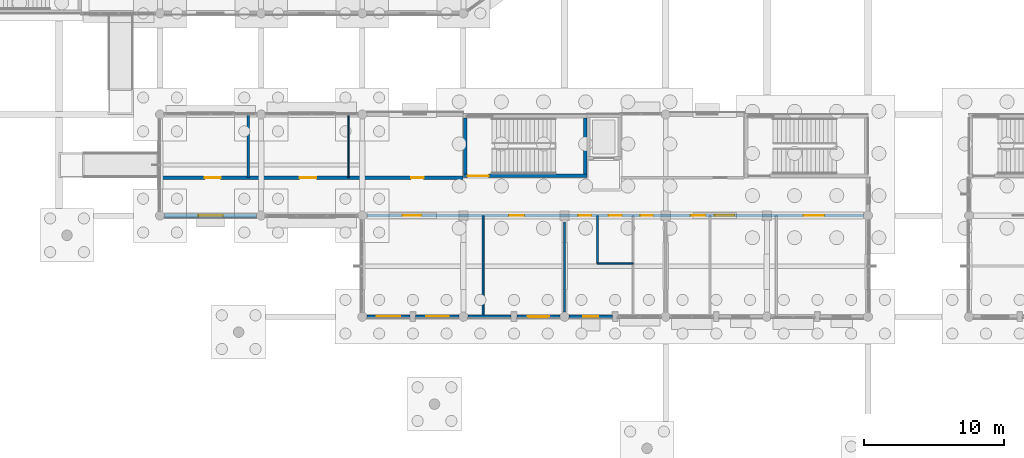
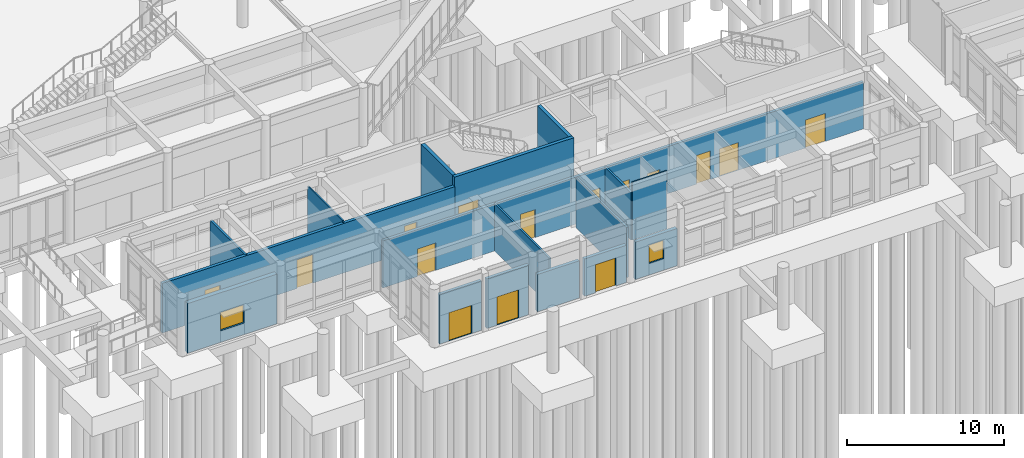
# One storey, part 52 of 103: 17 walls, 15 doors, 2 windows, 17 openings.
"""IFC4 building model written with IfcOpenShell, lengths in metres."""

from ifc_helpers import new_model, si_unit, direction, frame, frame_2d, origin, place, context, subcontext, project, spatial, rectangle, extrude, material, layer, layer_set, type_object, element, fill, save


model = new_model("IFC4")

# Units and contexts
model_context = context("Model", 3, precision=1e-05, world=origin(), true_north=direction((0.0, 1.0)))
body_context = subcontext(model_context, "Body", "Model", "MODEL_VIEW")
ifc_project = project(units=[si_unit("LENGTHUNIT", "METRE"), si_unit("AREAUNIT", "SQUARE_METRE"), si_unit("VOLUMEUNIT", "CUBIC_METRE"), si_unit("PLANEANGLEUNIT", "RADIAN"), si_unit("MASSUNIT", "GRAM", prefix="KILO")], contexts=[model_context])

# Site, building, storey
site_placement = place(None, origin())
site = spatial("IfcSite", under=ifc_project, at=site_placement, CompositionType="ELEMENT")
building_placement = place(site_placement, origin())
building = spatial("IfcBuilding", under=site, at=building_placement, Name="Namkhue Oval Health Centre", CompositionType="ELEMENT")
storey_placement = place(building_placement, origin())
storey = spatial("IfcBuildingStorey", under=building, at=storey_placement, Name="L00", CompositionType="ELEMENT", Elevation=0.0)

# Wall, opening, door
ifc_material_1 = material(Name="Autoclaved aerated concrete blockwork M7.5", Category="masonry")
ifc_layer_1 = layer(ifc_material_1, 0.219970703125)
ifc_layer_set_1 = layer_set([ifc_layer_1], Name="Autoclaved aerated concrete blockwork M7.5")
wall_type_1 = type_object("IfcWallType", Name="EXTERIOR ENVELOPE WALL 220", PredefinedType="STANDARD", material=ifc_layer_set_1)
wall_1_placement = place(storey_placement, frame((50.719970703125, 14.39990234375, 0.0), z_axis=(0.0, 0.0, 1.0), x_axis=(1.0, 0.0, 0.0)))
wall_1 = element("IfcWall", 1, at=wall_1_placement, inside=storey, type_object=wall_type_1, Name="Volume V4 L00 Exterior Envelope Wall 85", PredefinedType="STANDARD", context=body_context, shape_type="SweptSolid", body=[
    extrude(rectangle(XDim=3.083984375, YDim=0.219970703125, at=frame_2d((1.5419921875, 0.0))), origin(), (0.0, 0.0, 1.0), 3.860107421875),
])
opening_1_placement = place(wall_1_placement, frame((0.701904296875, 0.0, 0.0)))
opening_1 = element("IfcOpeningElement", 2, at=opening_1_placement, cuts=wall_1, Name="Opening ED-04", PredefinedType="OPENING", context=body_context, shape_type="SweptSolid", body=[
    extrude(rectangle(XDim=1.679931640625, YDim=2.199951171875, at=frame_2d((0.83984375, 1.10009765625))), frame((0.0, 0.119873046875, 0.0), z_axis=(0.0, -1.0, 0.0), x_axis=(1.0, 0.0, 0.0)), (0.0, 0.0, 1.0), 0.239990234375),
])
ifc_material_2 = material(Name="Anodised aluminium glazed entrance door", Category="aluminium")
door_type_1 = type_object("IfcDoorType", Name="ENTRANCE DOOR 1680X2200", OperationType="DOUBLE_DOOR_SINGLE_SWING", PredefinedType="DOOR", material=ifc_material_2)
door_1_placement = place(opening_1_placement, frame((1.679931640625, 0.0, 0.0), z_axis=(0.0, 0.0, 1.0), x_axis=(-1.0, 0.0, 0.0)))
door_1 = element("IfcDoor", 3, at=door_1_placement, inside=storey, type_object=door_type_1, Name="Volume V4 Main Pedestrian Entrance Exit Door 10", OperationType="DOUBLE_DOOR_SINGLE_SWING", OverallHeight=2.199951171875, OverallWidth=1.679931640625, PredefinedType="DOOR", context=body_context, shape_type="SweptSolid", body=[
    extrude(rectangle(XDim=1.679931640625, YDim=2.199951171875, at=frame_2d((0.83984375, 1.10009765625))), frame((0.0, 0.02490234375, 0.0), z_axis=(0.0, -1.0, 0.0), x_axis=(1.0, 0.0, 0.0)), (0.0, 0.0, 1.0), 0.050048828125),
])
fill(opening_1, door_1)

ifc_layer_2 = layer(ifc_material_1, 0.22998046875)
ifc_layer_set_2 = layer_set([ifc_layer_2], Name="Autoclaved aerated concrete blockwork M7.5")
wall_type_2 = type_object("IfcWallType", Name="EXTERIOR ENVELOPE WALL 230", PredefinedType="STANDARD", material=ifc_layer_set_2)
wall_2_placement = place(storey_placement, frame((54.196044921875, 14.39990234375, 0.0), z_axis=(0.0, 0.0, 1.0), x_axis=(1.0, 0.0, 0.0)))
wall_2 = element("IfcWall", 4, at=wall_2_placement, inside=storey, type_object=wall_type_2, Name="Volume V4 L00 Exterior Envelope Wall 86", PredefinedType="STANDARD", context=body_context, shape_type="SweptSolid", body=[
    extrude(rectangle(XDim=3.083984375, YDim=0.22998046875, at=frame_2d((1.5419921875, 0.0))), origin(), (0.0, 0.0, 1.0), 3.860107421875),
])
opening_2_placement = place(wall_2_placement, frame((0.741943359375, 0.0, 0.0)))
opening_2 = element("IfcOpeningElement", 5, at=opening_2_placement, cuts=wall_2, Name="Opening ED-05", PredefinedType="OPENING", context=body_context, shape_type="SweptSolid", body=[
    extrude(rectangle(XDim=1.60009765625, YDim=2.199951171875, at=frame_2d((0.800048828125, 1.10009765625))), frame((0.0, 0.125, 0.0), z_axis=(0.0, -1.0, 0.0), x_axis=(1.0, 0.0, 0.0)), (0.0, 0.0, 1.0), 0.25),
])
door_type_2 = type_object("IfcDoorType", Name="ENTRANCE DOOR 1600X2200", OperationType="DOUBLE_DOOR_SINGLE_SWING", PredefinedType="DOOR", material=ifc_material_2)
door_2_placement = place(opening_2_placement, frame((1.60009765625, 0.0, 0.0), z_axis=(0.0, 0.0, 1.0), x_axis=(-1.0, 0.0, 0.0)))
door_2 = element("IfcDoor", 6, at=door_2_placement, inside=storey, type_object=door_type_2, Name="Volume V4 Main Pedestrian Entrance Exit Door 11", OperationType="DOUBLE_DOOR_SINGLE_SWING", OverallHeight=2.199951171875, OverallWidth=1.60009765625, PredefinedType="DOOR", context=body_context, shape_type="SweptSolid", body=[
    extrude(rectangle(XDim=1.60009765625, YDim=2.199951171875, at=frame_2d((0.800048828125, 1.10009765625))), frame((0.0, 0.02490234375, 0.0), z_axis=(0.0, -1.0, 0.0), x_axis=(1.0, 0.0, 0.0)), (0.0, 0.0, 1.0), 0.050048828125),
])
fill(opening_2, door_2)

# Wall
ifc_layer_3 = layer(ifc_material_1, 0.239990234375)
ifc_layer_set_3 = layer_set([ifc_layer_3], Name="Autoclaved aerated concrete blockwork M7.5")
wall_type_3 = type_object("IfcWallType", Name="EXTERIOR ENVELOPE WALL 240", PredefinedType="STANDARD", material=ifc_layer_set_3)
wall_3_placement = place(storey_placement, frame((57.919921875, 14.39990234375, 0.0), z_axis=(0.0, 0.0, 1.0), x_axis=(1.0, 0.0, 0.0)))
element("IfcWall", 7, at=wall_3_placement, inside=storey, type_object=wall_type_3, Name="Volume V4 L00 Exterior Envelope Wall 87", PredefinedType="STANDARD", context=body_context, shape_type="SweptSolid", body=[
    extrude(rectangle(XDim=3.083984375, YDim=0.239990234375, at=frame_2d((1.5419921875, 0.0))), origin(), (0.0, 0.0, 1.0), 2.89990234375),
])

# Wall, opening, door
ifc_layer_4 = layer(ifc_material_1, 0.25)
ifc_layer_set_4 = layer_set([ifc_layer_4], Name="Autoclaved aerated concrete blockwork M7.5")
wall_type_4 = type_object("IfcWallType", Name="EXTERIOR ENVELOPE WALL 250", PredefinedType="STANDARD", material=ifc_layer_set_4)
wall_4_placement = place(storey_placement, frame((61.39599609375, 14.39990234375, 0.0), z_axis=(0.0, 0.0, 1.0), x_axis=(1.0, 0.0, 0.0)))
wall_4 = element("IfcWall", 8, at=wall_4_placement, inside=storey, type_object=wall_type_4, Name="Volume V4 L00 Exterior Envelope Wall 88", PredefinedType="STANDARD", context=body_context, shape_type="SweptSolid", body=[
    extrude(rectangle(XDim=3.083984375, YDim=0.25, at=frame_2d((1.5419921875, 0.0))), origin(), (0.0, 0.0, 1.0), 2.89990234375),
])
opening_3_placement = place(wall_4_placement, frame((0.781982421875, 0.0, 0.0)))
opening_3 = element("IfcOpeningElement", 9, at=opening_3_placement, cuts=wall_4, Name="Opening ED-06", PredefinedType="OPENING", context=body_context, shape_type="SweptSolid", body=[
    extrude(rectangle(XDim=1.52001953125, YDim=2.179931640625, at=frame_2d((0.760009765625, 1.08984375))), frame((0.0, 0.135009765625, 0.0), z_axis=(0.0, -1.0, 0.0), x_axis=(1.0, 0.0, 0.0)), (0.0, 0.0, 1.0), 0.27001953125),
])
door_type_3 = type_object("IfcDoorType", Name="ENTRANCE DOOR 1520X2180", OperationType="DOUBLE_DOOR_SINGLE_SWING", PredefinedType="DOOR", material=ifc_material_2)
door_3_placement = place(opening_3_placement, frame((1.52001953125, 0.0, 0.0), z_axis=(0.0, 0.0, 1.0), x_axis=(-1.0, 0.0, 0.0)))
door_3 = element("IfcDoor", 10, at=door_3_placement, inside=storey, type_object=door_type_3, Name="Volume V4 Main Pedestrian Entrance Exit Door 12", OperationType="DOUBLE_DOOR_SINGLE_SWING", OverallHeight=2.179931640625, OverallWidth=1.52001953125, PredefinedType="DOOR", context=body_context, shape_type="SweptSolid", body=[
    extrude(rectangle(XDim=1.52001953125, YDim=2.179931640625, at=frame_2d((0.760009765625, 1.08984375))), frame((0.0, 0.02490234375, 0.0), z_axis=(0.0, -1.0, 0.0), x_axis=(1.0, 0.0, 0.0)), (0.0, 0.0, 1.0), 0.050048828125),
])
fill(opening_3, door_3)

# Wall, opening, window
ifc_layer_5 = layer(ifc_material_1, 0.260009765625)
ifc_layer_set_5 = layer_set([ifc_layer_5], Name="Autoclaved aerated concrete blockwork M7.5")
wall_type_5 = type_object("IfcWallType", Name="EXTERIOR ENVELOPE WALL 260", PredefinedType="STANDARD", material=ifc_layer_set_5)
wall_5_placement = place(storey_placement, frame((65.1201171875, 14.39990234375, 0.0), z_axis=(0.0, 0.0, 1.0), x_axis=(1.0, 0.0, 0.0)))
wall_5 = element("IfcWall", 11, at=wall_5_placement, inside=storey, type_object=wall_type_5, Name="Volume V4 L00 Exterior Envelope Wall 89", PredefinedType="STANDARD", context=body_context, shape_type="SweptSolid", body=[
    extrude(rectangle(XDim=3.083984375, YDim=0.260009765625, at=frame_2d((1.5419921875, 0.0))), origin(), (0.0, 0.0, 1.0), 2.89990234375),
])
opening_4_placement = place(wall_5_placement, frame((0.991943359375, 0.0, 0.89990234375)))
opening_4 = element("IfcOpeningElement", 12, at=opening_4_placement, cuts=wall_5, Name="Opening WN-11", PredefinedType="OPENING", context=body_context, shape_type="SweptSolid", body=[
    extrude(rectangle(XDim=1.10009765625, YDim=1.419921875, at=frame_2d((0.550048828125, 0.7099609375))), frame((0.0, 0.139892578125, 0.0), z_axis=(0.0, -1.0, 0.0), x_axis=(1.0, 0.0, 0.0)), (0.0, 0.0, 1.0), 0.280029296875),
])
ifc_material_3 = material(Name="Thermally broken low-E laminated double glazing", Category="glass")
window_type_1 = type_object("IfcWindowType", Name="EXTERIOR WINDOW 1100X1420", PartitioningType="SINGLE_PANEL", PredefinedType="WINDOW", material=ifc_material_3)
window_1_placement = place(opening_4_placement, origin())
window_1 = element("IfcWindow", 13, at=window_1_placement, inside=storey, type_object=window_type_1, Name="Volume V4 L00 Exterior Window 56", OverallHeight=1.419921875, OverallWidth=1.10009765625, PartitioningType="SINGLE_PANEL", PredefinedType="WINDOW", context=body_context, shape_type="SweptSolid", body=[
    extrude(rectangle(XDim=1.10009765625, YDim=1.419921875, at=frame_2d((0.550048828125, 0.7099609375))), frame((0.0, 0.030029296875, 0.0), z_axis=(0.0, -1.0, 0.0), x_axis=(1.0, 0.0, 0.0)), (0.0, 0.0, 1.0), 0.06005859375),
])
fill(opening_4, window_1)

ifc_layer_6 = layer(ifc_material_1, 0.320068359375)
ifc_layer_set_6 = layer_set([ifc_layer_6], Name="Autoclaved aerated concrete blockwork M7.5")
wall_type_6 = type_object("IfcWallType", Name="EXTERIOR ENVELOPE WALL 320", PredefinedType="STANDARD", material=ifc_layer_set_6)
wall_6_placement = place(storey_placement, frame((36.320068359375, 21.60009765625, 0.0), z_axis=(0.0, 0.0, 1.0), x_axis=(1.0, 0.0, 0.0)))
wall_6 = element("IfcWall", 14, at=wall_6_placement, inside=storey, type_object=wall_type_6, Name="Volume V4 L00 Exterior Envelope Wall 95", PredefinedType="STANDARD", context=body_context, shape_type="SweptSolid", body=[
    extrude(rectangle(XDim=6.559814453125, YDim=0.320068359375, at=frame_2d((3.27978515625, 0.0))), origin(), (0.0, 0.0, 1.0), 3.860107421875),
])
opening_5_placement = place(wall_6_placement, frame((2.405029296875, 0.0, 0.89990234375)))
opening_5 = element("IfcOpeningElement", 15, at=opening_5_placement, cuts=wall_6, Name="Opening WN-17", PredefinedType="OPENING", context=body_context, shape_type="SweptSolid", body=[
    extrude(rectangle(XDim=1.75, YDim=1.419921875, at=frame_2d((0.875, 0.7099609375))), frame((0.0, 0.169921875, 0.0), z_axis=(0.0, -1.0, 0.0), x_axis=(1.0, 0.0, 0.0)), (0.0, 0.0, 1.0), 0.340087890625),
])
window_type_2 = type_object("IfcWindowType", Name="EXTERIOR WINDOW 1750X1420", PartitioningType="SINGLE_PANEL", PredefinedType="WINDOW", material=ifc_material_3)
window_2_placement = place(opening_5_placement, origin())
window_2 = element("IfcWindow", 16, at=window_2_placement, inside=storey, type_object=window_type_2, Name="Volume V4 L00 Exterior Window 62", OverallHeight=1.419921875, OverallWidth=1.75, PartitioningType="SINGLE_PANEL", PredefinedType="WINDOW", context=body_context, shape_type="SweptSolid", body=[
    extrude(rectangle(XDim=1.75, YDim=1.419921875, at=frame_2d((0.875, 0.7099609375))), frame((0.0, 0.030029296875, 0.0), z_axis=(0.0, -1.0, 0.0), x_axis=(1.0, 0.0, 0.0)), (0.0, 0.0, 1.0), 0.06005859375),
])
fill(opening_5, window_2)

# Wall, openings, doors
ifc_material_4 = material(Name="Gypsum plasterboard acoustic partition", Category="gypsum")
ifc_layer_7 = layer(ifc_material_4, 0.205078125)
ifc_layer_set_7 = layer_set([ifc_layer_7], Name="Gypsum plasterboard acoustic partition")
wall_type_7 = type_object("IfcWallType", Name="FIRE PARTITION WALL 205", PredefinedType="PARTITIONING", material=ifc_layer_set_7)
wall_7_placement = place(storey_placement, frame((50.72509765625, 21.60009765625, 0.0), z_axis=(0.0, 0.0, 1.0), x_axis=(1.0, 0.0, 0.0)))
wall_7 = element("IfcWall", 17, at=wall_7_placement, inside=storey, type_object=wall_type_7, Name="Volume V4 L00 Clinical Partition Wall 158", PredefinedType="PARTITIONING", context=body_context, shape_type="SweptSolid", body=[
    extrude(rectangle(XDim=35.349853515625, YDim=0.205078125, at=frame_2d((17.6748046875, 0.0))), origin(), (0.0, 0.0, 1.0), 3.659912109375),
])
opening_6_placement = place(wall_7_placement, frame((2.5439453125, 0.0, 0.0)))
opening_6 = element("IfcOpeningElement", 18, at=opening_6_placement, cuts=wall_7, Name="Opening CDD-01", PredefinedType="OPENING", context=body_context, shape_type="SweptSolid", body=[
    extrude(rectangle(XDim=1.340087890625, YDim=2.139892578125, at=frame_2d((0.669921875, 1.06982421875))), frame((0.0, 0.112548828125, 0.0), z_axis=(0.0, -1.0, 0.0), x_axis=(1.0, 0.0, 0.0)), (0.0, 0.0, 1.0), 0.22509765625),
])
opening_7_placement = place(wall_7_placement, frame((10.1220703125, 0.0, 0.0)))
opening_7 = element("IfcOpeningElement", 19, at=opening_7_placement, cuts=wall_7, Name="Opening CD-16", PredefinedType="OPENING", context=body_context, shape_type="SweptSolid", body=[
    extrude(rectangle(XDim=1.080078125, YDim=2.179931640625, at=frame_2d((0.5400390625, 1.08984375))), frame((0.0, 0.112548828125, 0.0), z_axis=(0.0, -1.0, 0.0), x_axis=(1.0, 0.0, 0.0)), (0.0, 0.0, 1.0), 0.22509765625),
])
opening_8_placement = place(wall_7_placement, frame((15.054931640625, 0.0, 0.0)))
opening_8 = element("IfcOpeningElement", 20, at=opening_8_placement, cuts=wall_7, Name="Opening CD-13", PredefinedType="OPENING", context=body_context, shape_type="SweptSolid", body=[
    extrude(rectangle(XDim=0.919921875, YDim=2.179931640625, at=frame_2d((0.4599609375, 1.08984375))), frame((0.0, 0.112548828125, 0.0), z_axis=(0.0, -1.0, 0.0), x_axis=(1.0, 0.0, 0.0)), (0.0, 0.0, 1.0), 0.22509765625),
])
opening_9_placement = place(wall_7_placement, frame((17.215087890625, 0.0, 0.0)))
opening_9 = element("IfcOpeningElement", 21, at=opening_9_placement, cuts=wall_7, Name="Opening CD-02", PredefinedType="OPENING", context=body_context, shape_type="SweptSolid", body=[
    extrude(rectangle(XDim=0.93994140625, YDim=2.080078125, at=frame_2d((0.469970703125, 1.0400390625))), frame((0.0, 0.112548828125, 0.0), z_axis=(0.0, -1.0, 0.0), x_axis=(1.0, 0.0, 0.0)), (0.0, 0.0, 1.0), 0.22509765625),
])
opening_10_placement = place(wall_7_placement, frame((19.465087890625, 0.0, 0.0)))
opening_10 = element("IfcOpeningElement", 22, at=opening_10_placement, cuts=wall_7, Name="Opening CD-01", PredefinedType="OPENING", context=body_context, shape_type="SweptSolid", body=[
    extrude(rectangle(XDim=0.89990234375, YDim=2.080078125, at=frame_2d((0.449951171875, 1.0400390625))), frame((0.0, 0.112548828125, 0.0), z_axis=(0.0, -1.0, 0.0), x_axis=(1.0, 0.0, 0.0)), (0.0, 0.0, 1.0), 0.22509765625),
])
opening_11_placement = place(wall_7_placement, frame((23.06494140625, 0.0, 0.0)))
opening_11 = element("IfcOpeningElement", 23, at=opening_11_placement, cuts=wall_7, Name="Opening CD-20", PredefinedType="OPENING", context=body_context, shape_type="SweptSolid", body=[
    extrude(rectangle(XDim=1.0400390625, YDim=2.22998046875, at=frame_2d((0.52001953125, 1.114990234375))), frame((0.0, 0.112548828125, 0.0), z_axis=(0.0, -1.0, 0.0), x_axis=(1.0, 0.0, 0.0)), (0.0, 0.0, 1.0), 0.22509765625),
])
opening_12_placement = place(wall_7_placement, frame((24.764892578125, 0.0, 0.0)))
opening_12 = element("IfcOpeningElement", 24, at=opening_12_placement, cuts=wall_7, Name="Opening CDD-02", PredefinedType="OPENING", context=body_context, shape_type="SweptSolid", body=[
    extrude(rectangle(XDim=1.39990234375, YDim=2.159912109375, at=frame_2d((0.699951171875, 1.080078125))), frame((0.0, 0.112548828125, 0.0), z_axis=(0.0, -1.0, 0.0), x_axis=(1.0, 0.0, 0.0)), (0.0, 0.0, 1.0), 0.22509765625),
])
opening_13_placement = place(wall_7_placement, frame((31.097900390625, 0.0, 0.0)))
opening_13 = element("IfcOpeningElement", 25, at=opening_13_placement, cuts=wall_7, Name="Opening CDD-03", PredefinedType="OPENING", context=body_context, shape_type="SweptSolid", body=[
    extrude(rectangle(XDim=1.4599609375, YDim=2.179931640625, at=frame_2d((0.72998046875, 1.08984375))), frame((0.0, 0.112548828125, 0.0), z_axis=(0.0, -1.0, 0.0), x_axis=(1.0, 0.0, 0.0)), (0.0, 0.0, 1.0), 0.22509765625),
])
ifc_material_5 = material(Name="High-pressure laminate timber clinical door", Category="wood")
door_type_4 = type_object("IfcDoorType", Name="CLINICAL DOOR 1040X2230", OperationType="NOTDEFINED", PredefinedType="DOOR", material=ifc_material_5)
door_4_placement = place(opening_11_placement, frame((1.0400390625, 0.0, 0.0), z_axis=(0.0, 0.0, 1.0), x_axis=(-1.0, 0.0, 0.0)))
door_4 = element("IfcDoor", 26, at=door_4_placement, inside=storey, type_object=door_type_4, Name="Volume V4 L00 Medical Gas Plant Room Door 139", OperationType="SINGLE_SWING_RIGHT", OverallHeight=2.22998046875, OverallWidth=1.0400390625, PredefinedType="DOOR", context=body_context, shape_type="SweptSolid", body=[
    extrude(rectangle(XDim=1.0400390625, YDim=2.22998046875, at=frame_2d((0.52001953125, 1.114990234375))), frame((0.0, 0.02490234375, 0.0), z_axis=(0.0, -1.0, 0.0), x_axis=(1.0, 0.0, 0.0)), (0.0, 0.0, 1.0), 0.050048828125),
])
fill(opening_11, door_4)
door_type_5 = type_object("IfcDoorType", Name="CLINICAL DOOR 1080X2180", OperationType="NOTDEFINED", PredefinedType="DOOR", material=ifc_material_5)
door_5_placement = place(opening_7_placement, frame((1.080078125, 0.0, 0.0), z_axis=(0.0, 0.0, 1.0), x_axis=(-1.0, 0.0, 0.0)))
door_5 = element("IfcDoor", 27, at=door_5_placement, inside=storey, type_object=door_type_5, Name="Volume V4 L00 Fire Control Room Door 135", OperationType="SINGLE_SWING_RIGHT", OverallHeight=2.179931640625, OverallWidth=1.080078125, PredefinedType="DOOR", context=body_context, shape_type="SweptSolid", body=[
    extrude(rectangle(XDim=1.080078125, YDim=2.179931640625, at=frame_2d((0.5400390625, 1.08984375))), frame((0.0, 0.02490234375, 0.0), z_axis=(0.0, -1.0, 0.0), x_axis=(1.0, 0.0, 0.0)), (0.0, 0.0, 1.0), 0.050048828125),
])
fill(opening_7, door_5)
door_type_6 = type_object("IfcDoorType", Name="CLINICAL DOOR 900X2080", OperationType="NOTDEFINED", PredefinedType="DOOR", material=ifc_material_5)
door_6_placement = place(opening_10_placement, frame((0.89990234375, 0.0, 0.0), z_axis=(0.0, 0.0, 1.0), x_axis=(-1.0, 0.0, 0.0)))
door_6 = element("IfcDoor", 28, at=door_6_placement, inside=storey, type_object=door_type_6, Name="Volume V4 L00 Emergency Staff Washroom Door 138", OperationType="SINGLE_SWING_RIGHT", OverallHeight=2.080078125, OverallWidth=0.89990234375, PredefinedType="DOOR", context=body_context, shape_type="SweptSolid", body=[
    extrude(rectangle(XDim=0.89990234375, YDim=2.080078125, at=frame_2d((0.449951171875, 1.0400390625))), frame((0.0, 0.02490234375, 0.0), z_axis=(0.0, -1.0, 0.0), x_axis=(1.0, 0.0, 0.0)), (0.0, 0.0, 1.0), 0.050048828125),
])
fill(opening_10, door_6)
door_type_7 = type_object("IfcDoorType", Name="CLINICAL DOOR 920X2180", OperationType="NOTDEFINED", PredefinedType="DOOR", material=ifc_material_5)
door_7_placement = place(opening_8_placement, frame((0.919921875, 0.0, 0.0), z_axis=(0.0, 0.0, 1.0), x_axis=(-1.0, 0.0, 0.0)))
door_7 = element("IfcDoor", 29, at=door_7_placement, inside=storey, type_object=door_type_7, Name="Volume V4 L00 Emergency Decontamination Utility Door 136", OperationType="SINGLE_SWING_LEFT", OverallHeight=2.179931640625, OverallWidth=0.919921875, PredefinedType="DOOR", context=body_context, shape_type="SweptSolid", body=[
    extrude(rectangle(XDim=0.919921875, YDim=2.179931640625, at=frame_2d((0.4599609375, 1.08984375))), frame((0.0, 0.02490234375, 0.0), z_axis=(0.0, -1.0, 0.0), x_axis=(1.0, 0.0, 0.0)), (0.0, 0.0, 1.0), 0.050048828125),
])
fill(opening_8, door_7)
door_type_8 = type_object("IfcDoorType", Name="CLINICAL DOOR 940X2080", OperationType="NOTDEFINED", PredefinedType="DOOR", material=ifc_material_5)
door_8_placement = place(opening_9_placement, frame((0.93994140625, 0.0, 0.0), z_axis=(0.0, 0.0, 1.0), x_axis=(-1.0, 0.0, 0.0)))
door_8 = element("IfcDoor", 30, at=door_8_placement, inside=storey, type_object=door_type_8, Name="Volume V4 L00 Accessible WC Door 137", OperationType="SINGLE_SWING_RIGHT", OverallHeight=2.080078125, OverallWidth=0.93994140625, PredefinedType="DOOR", context=body_context, shape_type="SweptSolid", body=[
    extrude(rectangle(XDim=0.93994140625, YDim=2.080078125, at=frame_2d((0.469970703125, 1.0400390625))), frame((0.0, 0.02490234375, 0.0), z_axis=(0.0, -1.0, 0.0), x_axis=(1.0, 0.0, 0.0)), (0.0, 0.0, 1.0), 0.050048828125),
])
fill(opening_9, door_8)
ifc_material_6 = material(Name="Powder-coated steel fire door assembly", Category="steel")
door_type_9 = type_object("IfcDoorType", Name="CLINICAL DOOR DOUBLE 1340X2140", OperationType="DOUBLE_DOOR_SINGLE_SWING", PredefinedType="DOOR", material=ifc_material_6)
door_9_placement = place(opening_6_placement, frame((1.340087890625, 0.0, 0.0), z_axis=(0.0, 0.0, 1.0), x_axis=(-1.0, 0.0, 0.0)))
door_9 = element("IfcDoor", 31, at=door_9_placement, inside=storey, type_object=door_type_9, Name="Volume V4 L00 Ambulance Triage Entrance Room Door 134", OperationType="DOUBLE_DOOR_SINGLE_SWING", OverallHeight=2.139892578125, OverallWidth=1.340087890625, PredefinedType="DOOR", context=body_context, shape_type="SweptSolid", body=[
    extrude(rectangle(XDim=1.340087890625, YDim=2.139892578125, at=frame_2d((0.669921875, 1.06982421875))), frame((0.0, 0.02490234375, 0.0), z_axis=(0.0, -1.0, 0.0), x_axis=(1.0, 0.0, 0.0)), (0.0, 0.0, 1.0), 0.050048828125),
])
fill(opening_6, door_9)
door_type_10 = type_object("IfcDoorType", Name="CLINICAL DOOR DOUBLE 1400X2160", OperationType="DOUBLE_DOOR_SINGLE_SWING", PredefinedType="DOOR", material=ifc_material_6)
door_10_placement = place(opening_12_placement, frame((1.39990234375, 0.0, 0.0), z_axis=(0.0, 0.0, 1.0), x_axis=(-1.0, 0.0, 0.0)))
door_10 = element("IfcDoor", 32, at=door_10_placement, inside=storey, type_object=door_type_10, Name="Volume V4 L00 Acute Observation Ward Door 140", OperationType="DOUBLE_DOOR_SINGLE_SWING", OverallHeight=2.159912109375, OverallWidth=1.39990234375, PredefinedType="DOOR", context=body_context, shape_type="SweptSolid", body=[
    extrude(rectangle(XDim=1.39990234375, YDim=2.159912109375, at=frame_2d((0.699951171875, 1.080078125))), frame((0.0, 0.02490234375, 0.0), z_axis=(0.0, -1.0, 0.0), x_axis=(1.0, 0.0, 0.0)), (0.0, 0.0, 1.0), 0.050048828125),
])
fill(opening_12, door_10)
door_type_11 = type_object("IfcDoorType", Name="CLINICAL DOOR DOUBLE 1460X2180", OperationType="DOUBLE_DOOR_SINGLE_SWING", PredefinedType="DOOR", material=ifc_material_6)
door_11_placement = place(opening_13_placement, frame((1.4599609375, 0.0, 0.0), z_axis=(0.0, 0.0, 1.0), x_axis=(-1.0, 0.0, 0.0)))
door_11 = element("IfcDoor", 33, at=door_11_placement, inside=storey, type_object=door_type_11, Name="Volume V4 L00 Emergency Resuscitation Bay Door 141", OperationType="DOUBLE_DOOR_SINGLE_SWING", OverallHeight=2.179931640625, OverallWidth=1.4599609375, PredefinedType="DOOR", context=body_context, shape_type="SweptSolid", body=[
    extrude(rectangle(XDim=1.4599609375, YDim=2.179931640625, at=frame_2d((0.72998046875, 1.08984375))), frame((0.0, 0.02490234375, 0.0), z_axis=(0.0, -1.0, 0.0), x_axis=(1.0, 0.0, 0.0)), (0.0, 0.0, 1.0), 0.050048828125),
])
fill(opening_13, door_11)

ifc_material_7 = material(Name="Lead-lined barium plasterboard radiation partition", Category="gypsum")
ifc_layer_8 = layer(ifc_material_7, 0.22509765625)
ifc_layer_set_8 = layer_set([ifc_layer_8], Name="Lead-lined barium plasterboard radiation partition")
wall_type_8 = type_object("IfcWallType", Name="FIRE PARTITION WALL 225", PredefinedType="PARTITIONING", material=ifc_layer_set_8)
wall_8_placement = place(storey_placement, frame((36.0400390625, 24.300048828125, 0.0), z_axis=(0.0, 0.0, 1.0), x_axis=(1.0, 0.0, 0.0)))
wall_8 = element("IfcWall", 34, at=wall_8_placement, inside=storey, type_object=wall_type_8, Name="Volume V4 L00 Clinical Partition Wall 167", PredefinedType="PARTITIONING", context=body_context, shape_type="SweptSolid", body=[
    extrude(rectangle(XDim=21.5400390625, YDim=0.22509765625, at=frame_2d((10.77001953125, 0.0))), origin(), (0.0, 0.0, 1.0), 3.860107421875),
])
opening_14_placement = place(wall_8_placement, frame((3.152099609375, 0.0, 0.0)))
opening_14 = element("IfcOpeningElement", 35, at=opening_14_placement, cuts=wall_8, Name="Opening CD-21", PredefinedType="OPENING", context=body_context, shape_type="SweptSolid", body=[
    extrude(rectangle(XDim=1.1201171875, YDim=2.22998046875, at=frame_2d((0.56005859375, 1.114990234375))), frame((0.0, 0.12255859375, 0.0), z_axis=(0.0, -1.0, 0.0), x_axis=(1.0, 0.0, 0.0)), (0.0, 0.0, 1.0), 0.2451171875),
])
opening_15_placement = place(wall_8_placement, frame((9.89990234375, 0.0, 0.0)))
opening_15 = element("IfcOpeningElement", 36, at=opening_15_placement, cuts=wall_8, Name="Opening CD-22", PredefinedType="OPENING", context=body_context, shape_type="SweptSolid", body=[
    extrude(rectangle(XDim=1.199951171875, YDim=2.22998046875, at=frame_2d((0.60009765625, 1.114990234375))), frame((0.0, 0.12255859375, 0.0), z_axis=(0.0, -1.0, 0.0), x_axis=(1.0, 0.0, 0.0)), (0.0, 0.0, 1.0), 0.2451171875),
])
opening_16_placement = place(wall_8_placement, frame((17.830078125, 0.0, 0.0)))
opening_16 = element("IfcOpeningElement", 37, at=opening_16_placement, cuts=wall_8, Name="Opening CD-01", PredefinedType="OPENING", context=body_context, shape_type="SweptSolid", body=[
    extrude(rectangle(XDim=0.89990234375, YDim=2.080078125, at=frame_2d((0.449951171875, 1.0400390625))), frame((0.0, 0.12255859375, 0.0), z_axis=(0.0, -1.0, 0.0), x_axis=(1.0, 0.0, 0.0)), (0.0, 0.0, 1.0), 0.2451171875),
])
door_type_12 = type_object("IfcDoorType", Name="CLINICAL DOOR 1120X2230", OperationType="NOTDEFINED", PredefinedType="DOOR", material=ifc_material_5)
door_12_placement = place(opening_14_placement, origin())
door_12 = element("IfcDoor", 38, at=door_12_placement, inside=storey, type_object=door_type_12, Name="Volume V4 L00 Minor Trauma Suture Room Door 142", OperationType="SINGLE_SWING_LEFT", OverallHeight=2.22998046875, OverallWidth=1.1201171875, PredefinedType="DOOR", context=body_context, shape_type="SweptSolid", body=[
    extrude(rectangle(XDim=1.1201171875, YDim=2.22998046875, at=frame_2d((0.56005859375, 1.114990234375))), frame((0.0, 0.02490234375, 0.0), z_axis=(0.0, -1.0, 0.0), x_axis=(1.0, 0.0, 0.0)), (0.0, 0.0, 1.0), 0.050048828125),
])
fill(opening_14, door_12)
door_type_13 = type_object("IfcDoorType", Name="CLINICAL DOOR 1200X2230", OperationType="NOTDEFINED", PredefinedType="DOOR", material=ifc_material_5)
door_13_placement = place(opening_15_placement, origin())
door_13 = element("IfcDoor", 39, at=door_13_placement, inside=storey, type_object=door_type_13, Name="Volume V4 L00 Plaster Fracture Treatment Room Door 143", OperationType="SINGLE_SWING_RIGHT", OverallHeight=2.22998046875, OverallWidth=1.199951171875, PredefinedType="DOOR", context=body_context, shape_type="SweptSolid", body=[
    extrude(rectangle(XDim=1.199951171875, YDim=2.22998046875, at=frame_2d((0.60009765625, 1.114990234375))), frame((0.0, 0.02490234375, 0.0), z_axis=(0.0, -1.0, 0.0), x_axis=(1.0, 0.0, 0.0)), (0.0, 0.0, 1.0), 0.050048828125),
])
fill(opening_15, door_13)
door_14_placement = place(opening_16_placement, origin())
door_14 = element("IfcDoor", 40, at=door_14_placement, inside=storey, type_object=door_type_6, Name="Volume V4 L00 Ambulance Triage Consultation Door 144", OperationType="SINGLE_SWING_LEFT", OverallHeight=2.080078125, OverallWidth=0.89990234375, PredefinedType="DOOR", context=body_context, shape_type="SweptSolid", body=[
    extrude(rectangle(XDim=0.89990234375, YDim=2.080078125, at=frame_2d((0.449951171875, 1.0400390625))), frame((0.0, 0.02490234375, 0.0), z_axis=(0.0, -1.0, 0.0), x_axis=(1.0, 0.0, 0.0)), (0.0, 0.0, 1.0), 0.050048828125),
])
fill(opening_16, door_14)

# Walls
ifc_layer_9 = layer(ifc_material_4, 0.10009765625)
ifc_layer_set_9 = layer_set([ifc_layer_9], Name="Gypsum plasterboard acoustic partition")
wall_type_9 = type_object("IfcWallType", Name="INTERIOR PARTITION WALL 100", PredefinedType="PARTITIONING", material=ifc_layer_set_9)
wall_9_placement = place(storey_placement, frame((67.139892578125, 18.199951171875, 0.0), z_axis=(0.0, 0.0, 1.0), x_axis=(1.0, 0.0, 0.0)))
element("IfcWall", 41, at=wall_9_placement, inside=storey, type_object=wall_type_9, Name="Volume V4 L00 Clinical Partition Wall 162", PredefinedType="PARTITIONING", context=body_context, shape_type="SweptSolid", body=[
    extrude(rectangle(XDim=2.5400390625, YDim=0.10009765625, at=frame_2d((1.27001953125, 0.0))), origin(), (0.0, 0.0, 1.0), 4.510009765625),
])
wall_10_placement = place(storey_placement, frame((49.419921875, 24.300048828125, 0.0), z_axis=(0.0, 0.0, 1.0), x_axis=(0.0, 1.0, 0.0)))
element("IfcWall", 42, at=wall_10_placement, inside=storey, type_object=wall_type_9, Name="Volume V4 L00 Clinical Partition Wall 169", PredefinedType="PARTITIONING", context=body_context, shape_type="SweptSolid", body=[
    extrude(rectangle(XDim=4.4599609375, YDim=0.10009765625, at=frame_2d((2.22998046875, 0.0))), origin(), (0.0, 0.0, 1.0), 4.010009765625),
])
ifc_layer_10 = layer(ifc_material_4, 0.139892578125)
ifc_layer_set_10 = layer_set([ifc_layer_10], Name="Gypsum plasterboard acoustic partition")
wall_type_10 = type_object("IfcWallType", Name="INTERIOR PARTITION WALL 140", PredefinedType="PARTITIONING", material=ifc_layer_set_10)
wall_11_placement = place(storey_placement, frame((59.0029296875, 14.5419921875, 0.0), z_axis=(0.0, 0.0, 1.0), x_axis=(0.0, 1.0, 0.0)))
element("IfcWall", 43, at=wall_11_placement, inside=storey, type_object=wall_type_10, Name="Volume V4 L00 Clinical Partition Wall 159", PredefinedType="PARTITIONING", context=body_context, shape_type="SweptSolid", body=[
    extrude(rectangle(XDim=7.05810546875, YDim=0.139892578125, at=frame_2d((3.529052734375, 0.0))), origin(), (0.0, 0.0, 1.0), 3.659912109375),
])
ifc_layer_11 = layer(ifc_material_4, 0.14990234375)
ifc_layer_set_11 = layer_set([ifc_layer_11], Name="Gypsum plasterboard acoustic partition")
wall_type_11 = type_object("IfcWallType", Name="INTERIOR PARTITION WALL 150", PredefinedType="PARTITIONING", material=ifc_layer_set_11)
wall_12_placement = place(storey_placement, frame((64.800048828125, 14.72509765625, 0.0), z_axis=(0.0, 0.0, 1.0), x_axis=(0.0, 1.0, 0.0)))
element("IfcWall", 44, at=wall_12_placement, inside=storey, type_object=wall_type_11, Name="Volume V4 L00 Clinical Partition Wall 160", PredefinedType="PARTITIONING", context=body_context, shape_type="SweptSolid", body=[
    extrude(rectangle(XDim=6.415283203125, YDim=0.14990234375, at=frame_2d((3.20751953125, 0.0))), origin(), (0.0, 0.0, 1.0), 3.909912109375),
])
ifc_layer_12 = layer(ifc_material_4, 0.159912109375)
ifc_layer_set_12 = layer_set([ifc_layer_12], Name="Gypsum plasterboard acoustic partition")
wall_type_12 = type_object("IfcWallType", Name="INTERIOR PARTITION WALL 160", PredefinedType="PARTITIONING", material=ifc_layer_set_12)
wall_13_placement = place(storey_placement, frame((67.139892578125, 18.199951171875, 0.0), z_axis=(0.0, 0.0, 1.0), x_axis=(0.0, 1.0, 0.0)))
element("IfcWall", 45, at=wall_13_placement, inside=storey, type_object=wall_type_12, Name="Volume V4 L00 Clinical Partition Wall 161", PredefinedType="PARTITIONING", context=body_context, shape_type="SweptSolid", body=[
    extrude(rectangle(XDim=3.400146484375, YDim=0.159912109375, at=frame_2d((1.7001953125, 0.0))), origin(), (0.0, 0.0, 1.0), 3.659912109375),
])
wall_14_placement = place(storey_placement, frame((42.27294921875, 24.300048828125, 0.0), z_axis=(0.0, 0.0, 1.0), x_axis=(0.0, 1.0, 0.0)))
element("IfcWall", 46, at=wall_14_placement, inside=storey, type_object=wall_type_12, Name="Volume V4 L00 Clinical Partition Wall 168", PredefinedType="PARTITIONING", context=body_context, shape_type="SweptSolid", body=[
    extrude(rectangle(XDim=4.4599609375, YDim=0.159912109375, at=frame_2d((2.22998046875, 0.0))), origin(), (0.0, 0.0, 1.0), 3.860107421875),
])

# Wall, opening, door
ifc_material_8 = material(Name="Reinforced concrete C35/45 (TCVN B40)", Category="concrete")
ifc_layer_13 = layer(ifc_material_8, 0.25)
ifc_layer_set_13 = layer_set([ifc_layer_13], Name="Reinforced concrete C35/45 (TCVN B40)")
wall_type_13 = type_object("IfcWallType", Name="SHEAR CORE WALL INT 250", PredefinedType="SHEAR", material=ifc_layer_set_13)
wall_15_placement = place(storey_placement, frame((57.60009765625, 24.425048828125, 0.0), z_axis=(0.0, 0.0, 1.0), x_axis=(1.0, 0.0, 0.0)))
wall_15 = element("IfcWall", 47, at=wall_15_placement, inside=storey, type_object=wall_type_13, Name="Core SC-07 L00 Shear Wall S", PredefinedType="SHEAR", context=body_context, shape_type="SweptSolid", body=[
    extrude(rectangle(XDim=8.7998046875, YDim=0.25, at=frame_2d((4.39990234375, 0.0))), origin(), (0.0, 0.0, 1.0), 4.510009765625),
])
opening_17_placement = place(wall_15_placement, frame((0.300048828125, 0.0, 0.0)))
opening_17 = element("IfcOpeningElement", 48, at=opening_17_placement, cuts=wall_15, Name="Opening SD-I1", PredefinedType="OPENING", context=body_context, shape_type="SweptSolid", body=[
    extrude(rectangle(XDim=1.5, YDim=2.14990234375, at=frame_2d((0.75, 1.074951171875))), frame((0.0, 0.135009765625, 0.0), z_axis=(0.0, -1.0, 0.0), x_axis=(1.0, 0.0, 0.0)), (0.0, 0.0, 1.0), 0.27001953125),
])
door_type_14 = type_object("IfcDoorType", Name="CLINICAL DOOR STAIR CORE 1500X2150", OperationType="DOUBLE_DOOR_SINGLE_SWING", PredefinedType="DOOR", material=ifc_material_6)
door_15_placement = place(opening_17_placement, origin())
door_15 = element("IfcDoor", 49, at=door_15_placement, inside=storey, type_object=door_type_14, Name="Stair ST-07 L00 Stair Enclosure Fire Door", OperationType="DOUBLE_DOOR_SINGLE_SWING", OverallHeight=2.14990234375, OverallWidth=1.5, PredefinedType="DOOR", context=body_context, shape_type="SweptSolid", body=[
    extrude(rectangle(XDim=1.5, YDim=2.14990234375, at=frame_2d((0.75, 1.074951171875))), frame((0.0, 0.02490234375, 0.0), z_axis=(0.0, -1.0, 0.0), x_axis=(1.0, 0.0, 0.0)), (0.0, 0.0, 1.0), 0.050048828125),
])
fill(opening_17, door_15)

# Walls
for number, where, z_axis, x_axis, name in (
    (50, (66.27490234375, 24.550048828125, 0.0), (0.0, 0.0, 1.0), (0.0, 1.0, 0.0), "Core SC-07 L00 Shear Wall E"),
    (51, (57.72509765625, 28.550048828125, 0.0), (0.0, 0.0, 1.0), (0.0, -1.0, 0.0), "Core SC-07 L00 Shear Wall W"),
):
    element("IfcWall", number, at=place(storey_placement, frame(where, z_axis=z_axis, x_axis=x_axis)), inside=storey, type_object=wall_type_13, Name=name, PredefinedType="SHEAR", context=body_context, shape_type="SweptSolid", body=[
        extrude(rectangle(XDim=4.0, YDim=0.25, at=frame_2d((2.0, 0.0))), origin(), (0.0, 0.0, 1.0), 4.510009765625),
    ])

save(model, "model.ifc")
